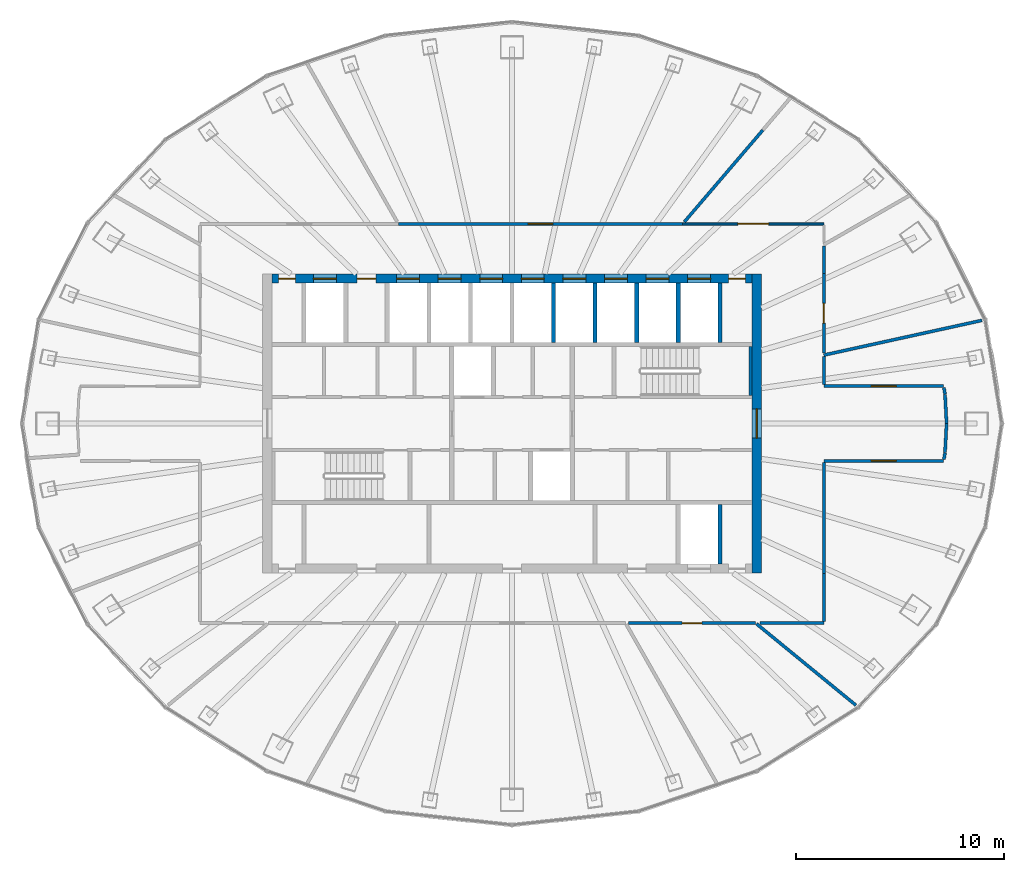
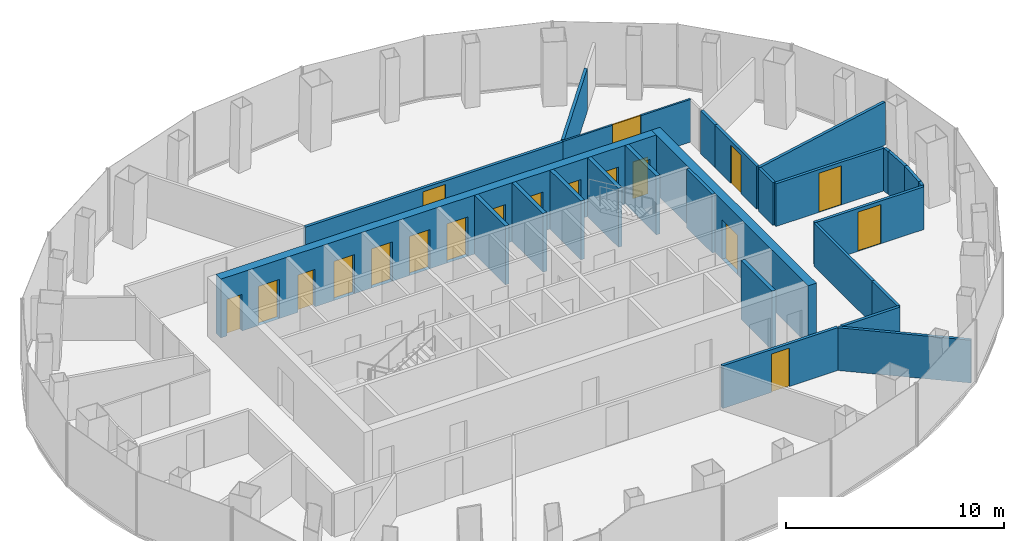
# One storey, part 11 of 13: 27 walls, 19 doors, 19 openings.
"""IFC4 building model written with IfcOpenShell, lengths in metres."""

from ifc_helpers import new_model, si_unit, direction, frame, frame_2d, origin, place, context, subcontext, project, spatial, rectangle, extrude, material, layer, layer_set, type_object, element, fill, save


model = new_model("IFC4")

# Units and contexts
model_context = context("Model", 3, precision=1e-05, world=origin(), true_north=direction((0.0, 1.0)))
body_context = subcontext(model_context, "Body", "Model", "MODEL_VIEW")
ifc_project = project(units=[si_unit("LENGTHUNIT", "METRE"), si_unit("AREAUNIT", "SQUARE_METRE"), si_unit("VOLUMEUNIT", "CUBIC_METRE"), si_unit("PLANEANGLEUNIT", "RADIAN"), si_unit("MASSUNIT", "GRAM", prefix="KILO")], contexts=[model_context])

# Site, building, storey
site_placement = place(None, origin())
site = spatial("IfcSite", under=ifc_project, at=site_placement, CompositionType="ELEMENT")
building_placement = place(site_placement, origin())
building = spatial("IfcBuilding", under=site, at=building_placement, Name="Siaravel Broadcast Tower", CompositionType="ELEMENT")
storey_placement = place(building_placement, frame((0.0, 0.0, 175.60009765625)))
storey = spatial("IfcBuildingStorey", under=building, at=storey_placement, Name="L42", CompositionType="ELEMENT", Elevation=175.60009765625)

# Wall, opening, door
ifc_material_1 = material(Name="Concrete C60/75", Category="concrete")
ifc_layer_1 = layer(ifc_material_1, 0.449951171875)
ifc_layer_set_1 = layer_set([ifc_layer_1], Name="Concrete C60/75")
wall_type_1 = type_object("IfcWallType", Name="Core wall 450", PredefinedType="SHEAR", material=ifc_layer_set_1)
wall_1_placement = place(storey_placement, frame((11.77490234375, -7.199951171875, 0.0), z_axis=(0.0, 0.0, 1.0), x_axis=(0.0, 1.0, 0.0)))
wall_1 = element("IfcWall", 1, at=wall_1_placement, inside=storey, type_object=wall_type_1, Name="L42 core wall OE", PredefinedType="SHEAR", context=body_context, shape_type="SweptSolid", body=[
    extrude(rectangle(XDim=14.39990234375, YDim=0.449951171875, at=frame_2d((7.199951171875, 0.0))), origin(), (0.0, 0.0, 1.0), 3.2998046875),
])
opening_1_placement = place(wall_1_placement, frame((6.5, 0.0, 0.0)))
opening_1 = element("IfcOpeningElement", 2, at=opening_1_placement, cuts=wall_1, Name="Opening L42-DX-E", PredefinedType="OPENING", context=body_context, shape_type="SweptSolid", body=[
    extrude(rectangle(XDim=1.39990234375, YDim=2.199951171875, at=frame_2d((0.699951171875, 1.10009765625))), frame((0.0, 0.23486328125, 0.0), z_axis=(0.0, -1.0, 0.0), x_axis=(1.0, 0.0, 0.0)), (0.0, 0.0, 1.0), 0.469970703125),
])
ifc_material_2 = material(Name="Steel", Category="steel")
door_type_1 = type_object("IfcDoorType", Name="Core exit door 1400", OperationType="DOUBLE_DOOR_SINGLE_SWING", PredefinedType="DOOR", material=ifc_material_2)
door_1_placement = place(opening_1_placement, origin())
door_1 = element("IfcDoor", 3, at=door_1_placement, inside=storey, type_object=door_type_1, Name="L42 door DX-E", OperationType="DOUBLE_DOOR_SINGLE_SWING", OverallHeight=2.199951171875, OverallWidth=1.39990234375, PredefinedType="DOOR", context=body_context, shape_type="SweptSolid", body=[
    extrude(rectangle(XDim=1.39990234375, YDim=2.199951171875, at=frame_2d((0.699951171875, 1.10009765625))), frame((0.0, 0.02490234375, 0.0), z_axis=(0.0, -1.0, 0.0), x_axis=(1.0, 0.0, 0.0)), (0.0, 0.0, 1.0), 0.050048828125),
])
fill(opening_1, door_1)

# Wall, openings, doors
wall_2_placement = place(storey_placement, frame((-11.550048828125, 6.97509765625, 0.0), z_axis=(0.0, 0.0, 1.0), x_axis=(1.0, 0.0, 0.0)))
wall_2 = element("IfcWall", 4, at=wall_2_placement, inside=storey, type_object=wall_type_1, Name="L42 core wall ON", PredefinedType="SHEAR", context=body_context, shape_type="SweptSolid", body=[
    extrude(rectangle(XDim=23.10009765625, YDim=0.449951171875, at=frame_2d((11.550048828125, 0.0))), origin(), (0.0, 0.0, 1.0), 3.2998046875),
])
opening_2_placement = place(wall_2_placement, frame((2.0, 0.0, 0.0)))
opening_2 = element("IfcOpeningElement", 5, at=opening_2_placement, cuts=wall_2, Name="Opening LD-SV2-L42", PredefinedType="OPENING", context=body_context, shape_type="SweptSolid", body=[
    extrude(rectangle(XDim=1.10009765625, YDim=2.199951171875, at=frame_2d((0.550048828125, 1.10009765625))), frame((0.0, 0.23486328125, 0.0), z_axis=(0.0, -1.0, 0.0), x_axis=(1.0, 0.0, 0.0)), (0.0, 0.0, 1.0), 0.469970703125),
])
opening_3_placement = place(wall_2_placement, frame((6.0, 0.0, 0.0)))
opening_3 = element("IfcOpeningElement", 6, at=opening_3_placement, cuts=wall_2, Name="Opening LD-HP1-L42", PredefinedType="OPENING", context=body_context, shape_type="SweptSolid", body=[
    extrude(rectangle(XDim=1.10009765625, YDim=2.199951171875, at=frame_2d((0.550048828125, 1.10009765625))), frame((0.0, 0.23486328125, 0.0), z_axis=(0.0, -1.0, 0.0), x_axis=(1.0, 0.0, 0.0)), (0.0, 0.0, 1.0), 0.469970703125),
])
opening_4_placement = place(wall_2_placement, frame((8.0, 0.0, 0.0)))
opening_4 = element("IfcOpeningElement", 7, at=opening_4_placement, cuts=wall_2, Name="Opening LD-HP2-L42", PredefinedType="OPENING", context=body_context, shape_type="SweptSolid", body=[
    extrude(rectangle(XDim=1.10009765625, YDim=2.199951171875, at=frame_2d((0.550048828125, 1.10009765625))), frame((0.0, 0.23486328125, 0.0), z_axis=(0.0, -1.0, 0.0), x_axis=(1.0, 0.0, 0.0)), (0.0, 0.0, 1.0), 0.469970703125),
])
opening_5_placement = place(wall_2_placement, frame((10.0, 0.0, 0.0)))
opening_5 = element("IfcOpeningElement", 8, at=opening_5_placement, cuts=wall_2, Name="Opening LD-HP3-L42", PredefinedType="OPENING", context=body_context, shape_type="SweptSolid", body=[
    extrude(rectangle(XDim=1.10009765625, YDim=2.199951171875, at=frame_2d((0.550048828125, 1.10009765625))), frame((0.0, 0.23486328125, 0.0), z_axis=(0.0, -1.0, 0.0), x_axis=(1.0, 0.0, 0.0)), (0.0, 0.0, 1.0), 0.469970703125),
])
opening_6_placement = place(wall_2_placement, frame((12.0, 0.0, 0.0)))
opening_6 = element("IfcOpeningElement", 9, at=opening_6_placement, cuts=wall_2, Name="Opening LD-HP4-L42", PredefinedType="OPENING", context=body_context, shape_type="SweptSolid", body=[
    extrude(rectangle(XDim=1.10009765625, YDim=2.199951171875, at=frame_2d((0.550048828125, 1.10009765625))), frame((0.0, 0.23486328125, 0.0), z_axis=(0.0, -1.0, 0.0), x_axis=(1.0, 0.0, 0.0)), (0.0, 0.0, 1.0), 0.469970703125),
])
opening_7_placement = place(wall_2_placement, frame((14.0, 0.0, 0.0)))
opening_7 = element("IfcOpeningElement", 10, at=opening_7_placement, cuts=wall_2, Name="Opening LD-HP5-L42", PredefinedType="OPENING", context=body_context, shape_type="SweptSolid", body=[
    extrude(rectangle(XDim=1.10009765625, YDim=2.199951171875, at=frame_2d((0.550048828125, 1.10009765625))), frame((0.0, 0.23486328125, 0.0), z_axis=(0.0, -1.0, 0.0), x_axis=(1.0, 0.0, 0.0)), (0.0, 0.0, 1.0), 0.469970703125),
])
opening_8_placement = place(wall_2_placement, frame((16.0, 0.0, 0.0)))
opening_8 = element("IfcOpeningElement", 11, at=opening_8_placement, cuts=wall_2, Name="Opening LD-HP6-L42", PredefinedType="OPENING", context=body_context, shape_type="SweptSolid", body=[
    extrude(rectangle(XDim=1.10009765625, YDim=2.199951171875, at=frame_2d((0.550048828125, 1.10009765625))), frame((0.0, 0.23486328125, 0.0), z_axis=(0.0, -1.0, 0.0), x_axis=(1.0, 0.0, 0.0)), (0.0, 0.0, 1.0), 0.469970703125),
])
opening_9_placement = place(wall_2_placement, frame((18.0, 0.0, 0.0)))
opening_9 = element("IfcOpeningElement", 12, at=opening_9_placement, cuts=wall_2, Name="Opening LD-HP7-L42", PredefinedType="OPENING", context=body_context, shape_type="SweptSolid", body=[
    extrude(rectangle(XDim=1.10009765625, YDim=2.199951171875, at=frame_2d((0.550048828125, 1.10009765625))), frame((0.0, 0.23486328125, 0.0), z_axis=(0.0, -1.0, 0.0), x_axis=(1.0, 0.0, 0.0)), (0.0, 0.0, 1.0), 0.469970703125),
])
opening_10_placement = place(wall_2_placement, frame((20.0, 0.0, 0.0)))
opening_10 = element("IfcOpeningElement", 13, at=opening_10_placement, cuts=wall_2, Name="Opening LD-HP8-L42", PredefinedType="OPENING", context=body_context, shape_type="SweptSolid", body=[
    extrude(rectangle(XDim=1.10009765625, YDim=2.199951171875, at=frame_2d((0.550048828125, 1.10009765625))), frame((0.0, 0.23486328125, 0.0), z_axis=(0.0, -1.0, 0.0), x_axis=(1.0, 0.0, 0.0)), (0.0, 0.0, 1.0), 0.469970703125),
])
opening_11_placement = place(wall_2_placement, frame((4.10009765625, 0.0, 0.0)))
opening_11 = element("IfcOpeningElement", 14, at=opening_11_placement, cuts=wall_2, Name="Opening L42-DFN1", PredefinedType="OPENING", context=body_context, shape_type="SweptSolid", body=[
    extrude(rectangle(XDim=0.89990234375, YDim=2.10009765625, at=frame_2d((0.449951171875, 1.050048828125))), frame((0.0, 0.23486328125, 0.0), z_axis=(0.0, -1.0, 0.0), x_axis=(1.0, 0.0, 0.0)), (0.0, 0.0, 1.0), 0.469970703125),
])
opening_12_placement = place(wall_2_placement, frame((0.324951171875, 0.0, 0.0)))
opening_12 = element("IfcOpeningElement", 15, at=opening_12_placement, cuts=wall_2, Name="Opening L42-DRNW", PredefinedType="OPENING", context=body_context, shape_type="SweptSolid", body=[
    extrude(rectangle(XDim=0.800048828125, YDim=2.050048828125, at=frame_2d((0.39990234375, 1.02490234375))), frame((0.0, 0.23486328125, 0.0), z_axis=(0.0, -1.0, 0.0), x_axis=(1.0, 0.0, 0.0)), (0.0, 0.0, 1.0), 0.469970703125),
])
opening_13_placement = place(wall_2_placement, frame((21.97509765625, 0.0, 0.0)))
opening_13 = element("IfcOpeningElement", 16, at=opening_13_placement, cuts=wall_2, Name="Opening L42-DRNE", PredefinedType="OPENING", context=body_context, shape_type="SweptSolid", body=[
    extrude(rectangle(XDim=0.800048828125, YDim=2.050048828125, at=frame_2d((0.39990234375, 1.02490234375))), frame((0.0, 0.23486328125, 0.0), z_axis=(0.0, -1.0, 0.0), x_axis=(1.0, 0.0, 0.0)), (0.0, 0.0, 1.0), 0.469970703125),
])
ifc_material_3 = material(Name="Timber veneer", Category="wood")
door_type_2 = type_object("IfcDoorType", Name="Core room door 900", OperationType="SINGLE_SWING_LEFT", PredefinedType="DOOR", material=ifc_material_3)
door_2_placement = place(opening_11_placement, origin())
door_2 = element("IfcDoor", 17, at=door_2_placement, inside=storey, type_object=door_type_2, Name="L42 door DFN1", OperationType="SINGLE_SWING_LEFT", OverallHeight=2.10009765625, OverallWidth=0.89990234375, PredefinedType="DOOR", context=body_context, shape_type="SweptSolid", body=[
    extrude(rectangle(XDim=0.89990234375, YDim=2.10009765625, at=frame_2d((0.449951171875, 1.050048828125))), frame((0.0, 0.02490234375, 0.0), z_axis=(0.0, -1.0, 0.0), x_axis=(1.0, 0.0, 0.0)), (0.0, 0.0, 1.0), 0.050048828125),
])
fill(opening_11, door_2)
ifc_material_4 = material(Name="Stainless steel 316L", Category="steel")
door_type_3 = type_object("IfcDoorType", Name="Lift landing door 1100", OperationType="DOUBLE_DOOR_SLIDING", PredefinedType="DOOR", material=ifc_material_4)
door_3_placement = place(opening_3_placement, origin())
door_3 = element("IfcDoor", 18, at=door_3_placement, inside=storey, type_object=door_type_3, Name="Landing door HP1 L42", OperationType="DOUBLE_DOOR_SLIDING", OverallHeight=2.199951171875, OverallWidth=1.10009765625, PredefinedType="DOOR", context=body_context, shape_type="SweptSolid", body=[
    extrude(rectangle(XDim=1.10009765625, YDim=2.199951171875, at=frame_2d((0.550048828125, 1.10009765625))), frame((0.0, 0.02490234375, 0.0), z_axis=(0.0, -1.0, 0.0), x_axis=(1.0, 0.0, 0.0)), (0.0, 0.0, 1.0), 0.050048828125),
])
fill(opening_3, door_3)
door_4_placement = place(opening_4_placement, origin())
door_4 = element("IfcDoor", 19, at=door_4_placement, inside=storey, type_object=door_type_3, Name="Landing door HP2 L42", OperationType="DOUBLE_DOOR_SLIDING", OverallHeight=2.199951171875, OverallWidth=1.10009765625, PredefinedType="DOOR", context=body_context, shape_type="SweptSolid", body=[
    extrude(rectangle(XDim=1.10009765625, YDim=2.199951171875, at=frame_2d((0.550048828125, 1.10009765625))), frame((0.0, 0.02490234375, 0.0), z_axis=(0.0, -1.0, 0.0), x_axis=(1.0, 0.0, 0.0)), (0.0, 0.0, 1.0), 0.050048828125),
])
fill(opening_4, door_4)
door_5_placement = place(opening_5_placement, origin())
door_5 = element("IfcDoor", 20, at=door_5_placement, inside=storey, type_object=door_type_3, Name="Landing door HP3 L42", OperationType="DOUBLE_DOOR_SLIDING", OverallHeight=2.199951171875, OverallWidth=1.10009765625, PredefinedType="DOOR", context=body_context, shape_type="SweptSolid", body=[
    extrude(rectangle(XDim=1.10009765625, YDim=2.199951171875, at=frame_2d((0.550048828125, 1.10009765625))), frame((0.0, 0.02490234375, 0.0), z_axis=(0.0, -1.0, 0.0), x_axis=(1.0, 0.0, 0.0)), (0.0, 0.0, 1.0), 0.050048828125),
])
fill(opening_5, door_5)
door_6_placement = place(opening_6_placement, origin())
door_6 = element("IfcDoor", 21, at=door_6_placement, inside=storey, type_object=door_type_3, Name="Landing door HP4 L42", OperationType="DOUBLE_DOOR_SLIDING", OverallHeight=2.199951171875, OverallWidth=1.10009765625, PredefinedType="DOOR", context=body_context, shape_type="SweptSolid", body=[
    extrude(rectangle(XDim=1.10009765625, YDim=2.199951171875, at=frame_2d((0.550048828125, 1.10009765625))), frame((0.0, 0.02490234375, 0.0), z_axis=(0.0, -1.0, 0.0), x_axis=(1.0, 0.0, 0.0)), (0.0, 0.0, 1.0), 0.050048828125),
])
fill(opening_6, door_6)
door_7_placement = place(opening_7_placement, origin())
door_7 = element("IfcDoor", 22, at=door_7_placement, inside=storey, type_object=door_type_3, Name="Landing door HP5 L42", OperationType="DOUBLE_DOOR_SLIDING", OverallHeight=2.199951171875, OverallWidth=1.10009765625, PredefinedType="DOOR", context=body_context, shape_type="SweptSolid", body=[
    extrude(rectangle(XDim=1.10009765625, YDim=2.199951171875, at=frame_2d((0.550048828125, 1.10009765625))), frame((0.0, 0.02490234375, 0.0), z_axis=(0.0, -1.0, 0.0), x_axis=(1.0, 0.0, 0.0)), (0.0, 0.0, 1.0), 0.050048828125),
])
fill(opening_7, door_7)
door_8_placement = place(opening_8_placement, origin())
door_8 = element("IfcDoor", 23, at=door_8_placement, inside=storey, type_object=door_type_3, Name="Landing door HP6 L42", OperationType="DOUBLE_DOOR_SLIDING", OverallHeight=2.199951171875, OverallWidth=1.10009765625, PredefinedType="DOOR", context=body_context, shape_type="SweptSolid", body=[
    extrude(rectangle(XDim=1.10009765625, YDim=2.199951171875, at=frame_2d((0.550048828125, 1.10009765625))), frame((0.0, 0.02490234375, 0.0), z_axis=(0.0, -1.0, 0.0), x_axis=(1.0, 0.0, 0.0)), (0.0, 0.0, 1.0), 0.050048828125),
])
fill(opening_8, door_8)
door_9_placement = place(opening_9_placement, origin())
door_9 = element("IfcDoor", 24, at=door_9_placement, inside=storey, type_object=door_type_3, Name="Landing door HP7 L42", OperationType="DOUBLE_DOOR_SLIDING", OverallHeight=2.199951171875, OverallWidth=1.10009765625, PredefinedType="DOOR", context=body_context, shape_type="SweptSolid", body=[
    extrude(rectangle(XDim=1.10009765625, YDim=2.199951171875, at=frame_2d((0.550048828125, 1.10009765625))), frame((0.0, 0.02490234375, 0.0), z_axis=(0.0, -1.0, 0.0), x_axis=(1.0, 0.0, 0.0)), (0.0, 0.0, 1.0), 0.050048828125),
])
fill(opening_9, door_9)
door_10_placement = place(opening_10_placement, origin())
door_10 = element("IfcDoor", 25, at=door_10_placement, inside=storey, type_object=door_type_3, Name="Landing door HP8 L42", OperationType="DOUBLE_DOOR_SLIDING", OverallHeight=2.199951171875, OverallWidth=1.10009765625, PredefinedType="DOOR", context=body_context, shape_type="SweptSolid", body=[
    extrude(rectangle(XDim=1.10009765625, YDim=2.199951171875, at=frame_2d((0.550048828125, 1.10009765625))), frame((0.0, 0.02490234375, 0.0), z_axis=(0.0, -1.0, 0.0), x_axis=(1.0, 0.0, 0.0)), (0.0, 0.0, 1.0), 0.050048828125),
])
fill(opening_10, door_10)
door_type_4 = type_object("IfcDoorType", Name="Riser door 800", OperationType="SINGLE_SWING_LEFT", PredefinedType="DOOR", material=ifc_material_2)
door_11_placement = place(opening_12_placement, origin())
door_11 = element("IfcDoor", 26, at=door_11_placement, inside=storey, type_object=door_type_4, Name="L42 door DRNW", OperationType="SINGLE_SWING_LEFT", OverallHeight=2.050048828125, OverallWidth=0.800048828125, PredefinedType="DOOR", context=body_context, shape_type="SweptSolid", body=[
    extrude(rectangle(XDim=0.800048828125, YDim=2.050048828125, at=frame_2d((0.39990234375, 1.02490234375))), frame((0.0, 0.02490234375, 0.0), z_axis=(0.0, -1.0, 0.0), x_axis=(1.0, 0.0, 0.0)), (0.0, 0.0, 1.0), 0.050048828125),
])
fill(opening_12, door_11)
door_12_placement = place(opening_13_placement, origin())
door_12 = element("IfcDoor", 27, at=door_12_placement, inside=storey, type_object=door_type_4, Name="L42 door DRNE", OperationType="SINGLE_SWING_LEFT", OverallHeight=2.050048828125, OverallWidth=0.800048828125, PredefinedType="DOOR", context=body_context, shape_type="SweptSolid", body=[
    extrude(rectangle(XDim=0.800048828125, YDim=2.050048828125, at=frame_2d((0.39990234375, 1.02490234375))), frame((0.0, 0.02490234375, 0.0), z_axis=(0.0, -1.0, 0.0), x_axis=(1.0, 0.0, 0.0)), (0.0, 0.0, 1.0), 0.050048828125),
])
fill(opening_13, door_12)
door_type_5 = type_object("IfcDoorType", Name="Service lift landing door 1100", OperationType="DOUBLE_DOOR_SLIDING", PredefinedType="DOOR", material=ifc_material_4)
door_13_placement = place(opening_2_placement, origin())
door_13 = element("IfcDoor", 28, at=door_13_placement, inside=storey, type_object=door_type_5, Name="Landing door SV2 L42", OperationType="DOUBLE_DOOR_SLIDING", OverallHeight=2.199951171875, OverallWidth=1.10009765625, PredefinedType="DOOR", context=body_context, shape_type="SweptSolid", body=[
    extrude(rectangle(XDim=1.10009765625, YDim=2.199951171875, at=frame_2d((0.550048828125, 1.10009765625))), frame((0.0, 0.02490234375, 0.0), z_axis=(0.0, -1.0, 0.0), x_axis=(1.0, 0.0, 0.0)), (0.0, 0.0, 1.0), 0.050048828125),
])
fill(opening_2, door_13)

# Wall, opening, door
ifc_material_5 = material(Name="Gypsum board partition", Category="gypsum")
ifc_layer_2 = layer(ifc_material_5, 0.14990234375)
ifc_layer_set_2 = layer_set([ifc_layer_2], Name="Gypsum board partition")
wall_type_2 = type_object("IfcWallType", Name="Corridor wall 150", PredefinedType="PARTITIONING", material=ifc_layer_set_2)
wall_3_placement = place(storey_placement, frame((8.206298828125, 9.60009765625, 0.0), z_axis=(0.0, 0.0, 1.0), x_axis=(-1.0, 0.0, 0.0)))
wall_3 = element("IfcWall", 29, at=wall_3_placement, inside=storey, type_object=wall_type_2, Name="L42 partition 1", PredefinedType="PARTITIONING", context=body_context, shape_type="SweptSolid", body=[
    extrude(rectangle(XDim=13.67138671875, YDim=0.14990234375, at=frame_2d((6.835693359375, 0.0))), origin(), (0.0, 0.0, 1.0), 2.39990234375),
])
opening_14_placement = place(wall_3_placement, frame((6.23583984375, 0.0, 0.0)))
opening_14 = element("IfcOpeningElement", 30, at=opening_14_placement, cuts=wall_3, Name="Opening L42-008", PredefinedType="OPENING", context=body_context, shape_type="SweptSolid", body=[
    extrude(rectangle(XDim=1.199951171875, YDim=2.199951171875, at=frame_2d((0.60009765625, 1.10009765625))), frame((0.0, 0.0849609375, 0.0), z_axis=(0.0, -1.0, 0.0), x_axis=(1.0, 0.0, 0.0)), (0.0, 0.0, 1.0), 0.169921875),
])
door_type_6 = type_object("IfcDoorType", Name="Office double door 1200", OperationType="DOUBLE_DOOR_SINGLE_SWING", PredefinedType="DOOR", material=ifc_material_3)
door_14_placement = place(opening_14_placement, origin())
door_14 = element("IfcDoor", 31, at=door_14_placement, inside=storey, type_object=door_type_6, Name="L42 door to Open plan office", OperationType="DOUBLE_DOOR_SINGLE_SWING", OverallHeight=2.199951171875, OverallWidth=1.199951171875, PredefinedType="DOOR", context=body_context, shape_type="SweptSolid", body=[
    extrude(rectangle(XDim=1.199951171875, YDim=2.199951171875, at=frame_2d((0.60009765625, 1.10009765625))), frame((0.0, 0.02490234375, 0.0), z_axis=(0.0, -1.0, 0.0), x_axis=(1.0, 0.0, 0.0)), (0.0, 0.0, 1.0), 0.050048828125),
])
fill(opening_14, door_14)

wall_4_placement = place(storey_placement, frame((5.59619140625, -9.60009765625, 0.0), z_axis=(0.0, 0.0, 1.0), x_axis=(1.0, 0.0, 0.0)))
wall_4 = element("IfcWall", 32, at=wall_4_placement, inside=storey, type_object=wall_type_2, Name="L42 partition 12", PredefinedType="PARTITIONING", context=body_context, shape_type="SweptSolid", body=[
    extrude(rectangle(XDim=6.123779296875, YDim=0.14990234375, at=frame_2d((3.06201171875, 0.0))), origin(), (0.0, 0.0, 1.0), 2.39990234375),
])
opening_15_placement = place(wall_4_placement, frame((2.5869140625, 0.0, 0.0)))
opening_15 = element("IfcOpeningElement", 33, at=opening_15_placement, cuts=wall_4, Name="Opening L42-003", PredefinedType="OPENING", context=body_context, shape_type="SweptSolid", body=[
    extrude(rectangle(XDim=0.949951171875, YDim=2.14990234375, at=frame_2d((0.47509765625, 1.074951171875))), frame((0.0, 0.0849609375, 0.0), z_axis=(0.0, -1.0, 0.0), x_axis=(1.0, 0.0, 0.0)), (0.0, 0.0, 1.0), 0.169921875),
])
door_type_7 = type_object("IfcDoorType", Name="Office door 950", OperationType="SINGLE_SWING_LEFT", PredefinedType="DOOR", material=ifc_material_3)
door_15_placement = place(opening_15_placement, origin())
door_15 = element("IfcDoor", 34, at=door_15_placement, inside=storey, type_object=door_type_7, Name="L42 door to Office", OperationType="SINGLE_SWING_LEFT", OverallHeight=2.14990234375, OverallWidth=0.949951171875, PredefinedType="DOOR", context=body_context, shape_type="SweptSolid", body=[
    extrude(rectangle(XDim=0.949951171875, YDim=2.14990234375, at=frame_2d((0.47509765625, 1.074951171875))), frame((0.0, 0.02490234375, 0.0), z_axis=(0.0, -1.0, 0.0), x_axis=(1.0, 0.0, 0.0)), (0.0, 0.0, 1.0), 0.050048828125),
])
fill(opening_15, door_15)

wall_5_placement = place(storey_placement, frame((15.0, -1.800048828125, 0.0), z_axis=(0.0, 0.0, 1.0), x_axis=(1.0, 0.0, 0.0)))
wall_5 = element("IfcWall", 35, at=wall_5_placement, inside=storey, type_object=wall_type_2, Name="L42 partition 18", PredefinedType="PARTITIONING", context=body_context, shape_type="SweptSolid", body=[
    extrude(rectangle(XDim=5.766357421875, YDim=0.14990234375, at=frame_2d((2.88330078125, 0.0))), origin(), (0.0, 0.0, 1.0), 2.39990234375),
])
opening_16_placement = place(wall_5_placement, frame((2.283203125, 0.0, 0.0)))
opening_16 = element("IfcOpeningElement", 36, at=opening_16_placement, cuts=wall_5, Name="Opening L42-004", PredefinedType="OPENING", context=body_context, shape_type="SweptSolid", body=[
    extrude(rectangle(XDim=1.199951171875, YDim=2.199951171875, at=frame_2d((0.60009765625, 1.10009765625))), frame((0.0, 0.0849609375, 0.0), z_axis=(0.0, -1.0, 0.0), x_axis=(1.0, 0.0, 0.0)), (0.0, 0.0, 1.0), 0.169921875),
])
door_16_placement = place(opening_16_placement, origin())
door_16 = element("IfcDoor", 37, at=door_16_placement, inside=storey, type_object=door_type_6, Name="L42 door to Open plan office", OperationType="DOUBLE_DOOR_SINGLE_SWING", OverallHeight=2.199951171875, OverallWidth=1.199951171875, PredefinedType="DOOR", context=body_context, shape_type="SweptSolid", body=[
    extrude(rectangle(XDim=1.199951171875, YDim=2.199951171875, at=frame_2d((0.60009765625, 1.10009765625))), frame((0.0, 0.02490234375, 0.0), z_axis=(0.0, -1.0, 0.0), x_axis=(1.0, 0.0, 0.0)), (0.0, 0.0, 1.0), 0.050048828125),
])
fill(opening_16, door_16)

wall_6_placement = place(storey_placement, frame((20.766357421875, 1.800048828125, 0.0), z_axis=(0.0, 0.0, 1.0), x_axis=(-1.0, 0.0, 0.0)))
wall_6 = element("IfcWall", 38, at=wall_6_placement, inside=storey, type_object=wall_type_2, Name="L42 partition 19", PredefinedType="PARTITIONING", context=body_context, shape_type="SweptSolid", body=[
    extrude(rectangle(XDim=5.766357421875, YDim=0.14990234375, at=frame_2d((2.88330078125, 0.0))), origin(), (0.0, 0.0, 1.0), 2.39990234375),
])
opening_17_placement = place(wall_6_placement, frame((2.283203125, 0.0, 0.0)))
opening_17 = element("IfcOpeningElement", 39, at=opening_17_placement, cuts=wall_6, Name="Opening L42-005", PredefinedType="OPENING", context=body_context, shape_type="SweptSolid", body=[
    extrude(rectangle(XDim=1.199951171875, YDim=2.199951171875, at=frame_2d((0.60009765625, 1.10009765625))), frame((0.0, 0.0849609375, 0.0), z_axis=(0.0, -1.0, 0.0), x_axis=(1.0, 0.0, 0.0)), (0.0, 0.0, 1.0), 0.169921875),
])
door_17_placement = place(opening_17_placement, origin())
door_17 = element("IfcDoor", 40, at=door_17_placement, inside=storey, type_object=door_type_6, Name="L42 door to Open plan office", OperationType="DOUBLE_DOOR_SINGLE_SWING", OverallHeight=2.199951171875, OverallWidth=1.199951171875, PredefinedType="DOOR", context=body_context, shape_type="SweptSolid", body=[
    extrude(rectangle(XDim=1.199951171875, YDim=2.199951171875, at=frame_2d((0.60009765625, 1.10009765625))), frame((0.0, 0.02490234375, 0.0), z_axis=(0.0, -1.0, 0.0), x_axis=(1.0, 0.0, 0.0)), (0.0, 0.0, 1.0), 0.050048828125),
])
fill(opening_17, door_17)

# Wall
wall_7_placement = place(storey_placement, frame((15.0, -7.2119140625, 0.0), z_axis=(0.0, 0.0, 1.0), x_axis=(0.0, 1.0, 0.0)))
element("IfcWall", 41, at=wall_7_placement, inside=storey, type_object=wall_type_2, Name="L42 partition 20", PredefinedType="PARTITIONING", context=body_context, shape_type="SweptSolid", body=[
    extrude(rectangle(XDim=5.3349609375, YDim=0.14990234375, at=frame_2d((2.66748046875, 0.0))), origin(), (0.0, 0.0, 1.0), 2.39990234375),
])

# Wall, opening, door
wall_8_placement = place(storey_placement, frame((15.0, 3.387451171875, 0.0), z_axis=(0.0, 0.0, 1.0), x_axis=(0.0, 1.0, 0.0)))
wall_8 = element("IfcWall", 42, at=wall_8_placement, inside=storey, type_object=wall_type_2, Name="L42 partition 25", PredefinedType="PARTITIONING", context=body_context, shape_type="SweptSolid", body=[
    extrude(rectangle(XDim=3.824462890625, YDim=0.14990234375, at=frame_2d((1.912109375, 0.0))), origin(), (0.0, 0.0, 1.0), 2.39990234375),
])
opening_18_placement = place(wall_8_placement, frame((1.437255859375, 0.0, 0.0)))
opening_18 = element("IfcOpeningElement", 43, at=opening_18_placement, cuts=wall_8, Name="Opening L42-006", PredefinedType="OPENING", context=body_context, shape_type="SweptSolid", body=[
    extrude(rectangle(XDim=0.949951171875, YDim=2.14990234375, at=frame_2d((0.47509765625, 1.074951171875))), frame((0.0, 0.0849609375, 0.0), z_axis=(0.0, -1.0, 0.0), x_axis=(1.0, 0.0, 0.0)), (0.0, 0.0, 1.0), 0.169921875),
])
door_18_placement = place(opening_18_placement, origin())
door_18 = element("IfcDoor", 44, at=door_18_placement, inside=storey, type_object=door_type_7, Name="L42 door to Office", OperationType="SINGLE_SWING_RIGHT", OverallHeight=2.14990234375, OverallWidth=0.949951171875, PredefinedType="DOOR", context=body_context, shape_type="SweptSolid", body=[
    extrude(rectangle(XDim=0.949951171875, YDim=2.14990234375, at=frame_2d((0.47509765625, 1.074951171875))), frame((0.0, 0.02490234375, 0.0), z_axis=(0.0, -1.0, 0.0), x_axis=(1.0, 0.0, 0.0)), (0.0, 0.0, 1.0), 0.050048828125),
])
fill(opening_18, door_18)

# Walls
wall_9_placement = place(storey_placement, frame((11.931884765625, -9.60009765625, 0.0), z_axis=(0.0, 0.0, 1.0), x_axis=(1.0, 0.0, 0.0)))
element("IfcWall", 45, at=wall_9_placement, inside=storey, type_object=wall_type_2, Name="L42 partition 26", PredefinedType="PARTITIONING", context=body_context, shape_type="SweptSolid", body=[
    extrude(rectangle(XDim=3.068115234375, YDim=0.14990234375, at=frame_2d((1.5341796875, 0.0))), origin(), (0.0, 0.0, 1.0), 2.39990234375),
])
wall_10_placement = place(storey_placement, frame((15.0, -9.52294921875, 0.0), z_axis=(0.0, 0.0, 1.0), x_axis=(0.0, 1.0, 0.0)))
element("IfcWall", 46, at=wall_10_placement, inside=storey, type_object=wall_type_2, Name="L42 partition 30", PredefinedType="PARTITIONING", context=body_context, shape_type="SweptSolid", body=[
    extrude(rectangle(XDim=2.31005859375, YDim=0.14990234375, at=frame_2d((1.155029296875, 0.0))), origin(), (0.0, 0.0, 1.0), 2.39990234375),
])
wall_11_placement = place(storey_placement, frame((15.0, 1.876953125, 0.0), z_axis=(0.0, 0.0, 1.0), x_axis=(0.0, 1.0, 0.0)))
element("IfcWall", 47, at=wall_11_placement, inside=storey, type_object=wall_type_2, Name="L42 partition 34", PredefinedType="PARTITIONING", context=body_context, shape_type="SweptSolid", body=[
    extrude(rectangle(XDim=1.33984375, YDim=0.14990234375, at=frame_2d((0.669921875, 0.0))), origin(), (0.0, 0.0, 1.0), 2.39990234375),
])
wall_12_placement = place(storey_placement, frame((15.0, 7.212890625, 0.0), z_axis=(0.0, 0.0, 1.0), x_axis=(0.0, 1.0, 0.0)))
element("IfcWall", 48, at=wall_12_placement, inside=storey, type_object=wall_type_2, Name="L42 partition 37", PredefinedType="PARTITIONING", context=body_context, shape_type="SweptSolid", body=[
    extrude(rectangle(XDim=1.3232421875, YDim=0.14990234375, at=frame_2d((0.66162109375, 0.0))), origin(), (0.0, 0.0, 1.0), 2.39990234375),
])
wall_13_placement = place(storey_placement, frame((20.830322265625, -1.4013671875, 0.0), z_axis=(0.0, 0.0, 1.0), x_axis=(0.053234513, 0.998582038, 0.0)))
element("IfcWall", 49, at=wall_13_placement, inside=storey, type_object=wall_type_2, Name="L42 partition 39", PredefinedType="PARTITIONING", context=body_context, shape_type="SweptSolid", body=[
    extrude(rectangle(XDim=1.4033203125, YDim=0.14990234375, at=frame_2d((0.70166015625, 0.0))), origin(), (0.0, 0.0, 1.0), 2.39990234375),
])
wall_14_placement = place(storey_placement, frame((20.904541015625, 0.010009765625, 0.0), z_axis=(0.0, 0.0, 1.0), x_axis=(-0.053266961, 0.998580308, 0.0)))
element("IfcWall", 50, at=wall_14_placement, inside=storey, type_object=wall_type_2, Name="L42 partition 40", PredefinedType="PARTITIONING", context=body_context, shape_type="SweptSolid", body=[
    extrude(rectangle(XDim=1.393310546875, YDim=0.14990234375, at=frame_2d((0.69677734375, 0.0))), origin(), (0.0, 0.0, 1.0), 2.39990234375),
])
for number, where, z_axis, x_axis, name in (
    (51, (20.7783203125, -1.724853515625, 0.0), (0.0, 0.0, 1.0), (0.159039191, 0.98727227, 0.0), "L42 partition 44"),
    (52, (20.828857421875, 1.4111328125, 0.0), (0.0, 0.0, 1.0), (-0.159039191, 0.98727227, 0.0), "L42 partition 45"),
):
    element("IfcWall", number, at=place(storey_placement, frame(where, z_axis=z_axis, x_axis=x_axis)), inside=storey, type_object=wall_type_2, Name=name, PredefinedType="PARTITIONING", context=body_context, shape_type="SweptSolid", body=[
        extrude(rectangle(XDim=0.31787109375, YDim=0.14990234375, at=frame_2d((0.158935546875, 0.0))), origin(), (0.0, 0.0, 1.0), 2.39990234375),
    ])

# Wall, opening, door
ifc_material_6 = material(Name="Glazed aluminium partition", Category="aluminium")
ifc_layer_3 = layer(ifc_material_6, 0.10009765625)
ifc_layer_set_3 = layer_set([ifc_layer_3], Name="Glazed aluminium partition")
wall_type_3 = type_object("IfcWallType", Name="Glazed meeting room partition 100", PredefinedType="PARTITIONING", material=ifc_layer_set_3)
wall_15_placement = place(storey_placement, frame((15.0, 9.60009765625, 0.0), z_axis=(0.0, 0.0, 1.0), x_axis=(-1.0, 0.0, 0.0)))
wall_15 = element("IfcWall", 53, at=wall_15_placement, inside=storey, type_object=wall_type_3, Name="L42 partition 9", PredefinedType="PARTITIONING", context=body_context, shape_type="SweptSolid", body=[
    extrude(rectangle(XDim=6.793701171875, YDim=0.10009765625, at=frame_2d((3.39697265625, 0.0))), origin(), (0.0, 0.0, 1.0), 2.39990234375),
])
opening_19_placement = place(wall_15_placement, frame((2.646728515625, 0.0, 0.0)))
opening_19 = element("IfcOpeningElement", 54, at=opening_19_placement, cuts=wall_15, Name="Opening L42-007", PredefinedType="OPENING", context=body_context, shape_type="SweptSolid", body=[
    extrude(rectangle(XDim=1.5, YDim=2.39990234375, at=frame_2d((0.75, 1.199951171875))), frame((0.0, 0.06005859375, 0.0), z_axis=(0.0, -1.0, 0.0), x_axis=(1.0, 0.0, 0.0)), (0.0, 0.0, 1.0), 0.1201171875),
])
door_type_8 = type_object("IfcDoorType", Name="Conference double door 1500", OperationType="DOUBLE_DOOR_SINGLE_SWING", PredefinedType="DOOR", material=ifc_material_3)
door_19_placement = place(opening_19_placement, origin())
door_19 = element("IfcDoor", 55, at=door_19_placement, inside=storey, type_object=door_type_8, Name="L42 door to Boardroom", OperationType="DOUBLE_DOOR_SINGLE_SWING", OverallHeight=2.39990234375, OverallWidth=1.5, PredefinedType="DOOR", context=body_context, shape_type="SweptSolid", body=[
    extrude(rectangle(XDim=1.5, YDim=2.39990234375, at=frame_2d((0.75, 1.199951171875))), frame((0.0, 0.02490234375, 0.0), z_axis=(0.0, -1.0, 0.0), x_axis=(1.0, 0.0, 0.0)), (0.0, 0.0, 1.0), 0.050048828125),
])
fill(opening_19, door_19)

# Walls
ifc_layer_4 = layer(ifc_material_5, 0.14990234375)
ifc_layer_set_4 = layer_set([ifc_layer_4], Name="Gypsum board partition")
wall_type_4 = type_object("IfcWallType", Name="Room partition 150", PredefinedType="PARTITIONING", material=ifc_layer_set_4)
wall_16_placement = place(storey_placement, frame((22.6083984375, 4.962158203125, 0.0), z_axis=(0.0, 0.0, 1.0), x_axis=(-0.976750106, -0.21438104, 0.0)))
element("IfcWall", 56, at=wall_16_placement, inside=storey, type_object=wall_type_4, Name="L42 partition 8", PredefinedType="PARTITIONING", context=body_context, shape_type="SweptSolid", body=[
    extrude(rectangle(XDim=7.78955078125, YDim=0.14990234375, at=frame_2d((3.894775390625, 0.0))), origin(), (0.0, 0.0, 1.0), 2.39990234375),
])
wall_17_placement = place(storey_placement, frame((16.54345703125, -13.55078125, 0.0), z_axis=(0.0, 0.0, 1.0), x_axis=(-0.773616024, 0.633654676, 0.0)))
element("IfcWall", 57, at=wall_17_placement, inside=storey, type_object=wall_type_4, Name="L42 partition 13", PredefinedType="PARTITIONING", context=body_context, shape_type="SweptSolid", body=[
    extrude(rectangle(XDim=6.185546875, YDim=0.14990234375, at=frame_2d((3.0927734375, 0.0))), origin(), (0.0, 0.0, 1.0), 2.39990234375),
])
wall_18_placement = place(storey_placement, frame((12.06396484375, 14.112548828125, 0.0), z_axis=(0.0, 0.0, 1.0), x_axis=(-0.649793299, -0.760110958, 0.0)))
element("IfcWall", 58, at=wall_18_placement, inside=storey, type_object=wall_type_4, Name="L42 partition 15", PredefinedType="PARTITIONING", context=body_context, shape_type="SweptSolid", body=[
    extrude(rectangle(XDim=5.804931640625, YDim=0.14990234375, at=frame_2d((2.90234375, 0.0))), origin(), (0.0, 0.0, 1.0), 2.39990234375),
])
ifc_layer_5 = layer(ifc_material_1, 0.14990234375)
ifc_layer_set_5 = layer_set([ifc_layer_5], Name="Concrete C60/75")
wall_type_5 = type_object("IfcWallType", Name="Shaft wall 150", PredefinedType="SHEAR", material=ifc_layer_set_5)
wall_19_placement = place(storey_placement, frame((11.47509765625, 1.35009765625, 0.0), z_axis=(0.0, 0.0, 1.0), x_axis=(0.0, 1.0, 0.0)))
element("IfcWall", 59, at=wall_19_placement, inside=storey, type_object=wall_type_5, Name="L42 core wall ST2E", PredefinedType="SHEAR", context=body_context, shape_type="SweptSolid", body=[
    extrude(rectangle(XDim=2.349853515625, YDim=0.14990234375, at=frame_2d((1.1748046875, 0.0))), origin(), (0.0, 0.0, 1.0), 3.2998046875),
])
ifc_layer_6 = layer(ifc_material_1, 0.199951171875)
ifc_layer_set_6 = layer_set([ifc_layer_6], Name="Concrete C60/75")
wall_type_6 = type_object("IfcWallType", Name="Shaft wall 200", PredefinedType="SHEAR", material=ifc_layer_set_6)
for number, where, z_axis, x_axis, name in (
    (60, (10.0, -6.75, 0.0), (0.0, 0.0, 1.0), (0.0, 1.0, 0.0), "L42 core wall SWS10"),
    (61, (2.0, 3.89990234375, 0.0), (0.0, 0.0, 1.0), (0.0, 1.0, 0.0), "L42 core wall SWN6"),
    (62, (4.0, 3.89990234375, 0.0), (0.0, 0.0, 1.0), (0.0, 1.0, 0.0), "L42 core wall SWN7"),
    (63, (6.0, 3.89990234375, 0.0), (0.0, 0.0, 1.0), (0.0, 1.0, 0.0), "L42 core wall SWN8"),
    (64, (8.0, 3.89990234375, 0.0), (0.0, 0.0, 1.0), (0.0, 1.0, 0.0), "L42 core wall SWN9"),
    (65, (10.0, 3.89990234375, 0.0), (0.0, 0.0, 1.0), (0.0, 1.0, 0.0), "L42 core wall SWN10"),
):
    element("IfcWall", number, at=place(storey_placement, frame(where, z_axis=z_axis, x_axis=x_axis)), inside=storey, type_object=wall_type_6, Name=name, PredefinedType="SHEAR", context=body_context, shape_type="SweptSolid", body=[
        extrude(rectangle(XDim=2.85009765625, YDim=0.199951171875, at=frame_2d((1.425048828125, 0.0))), origin(), (0.0, 0.0, 1.0), 3.2998046875),
    ])

save(model, "model.ifc")
